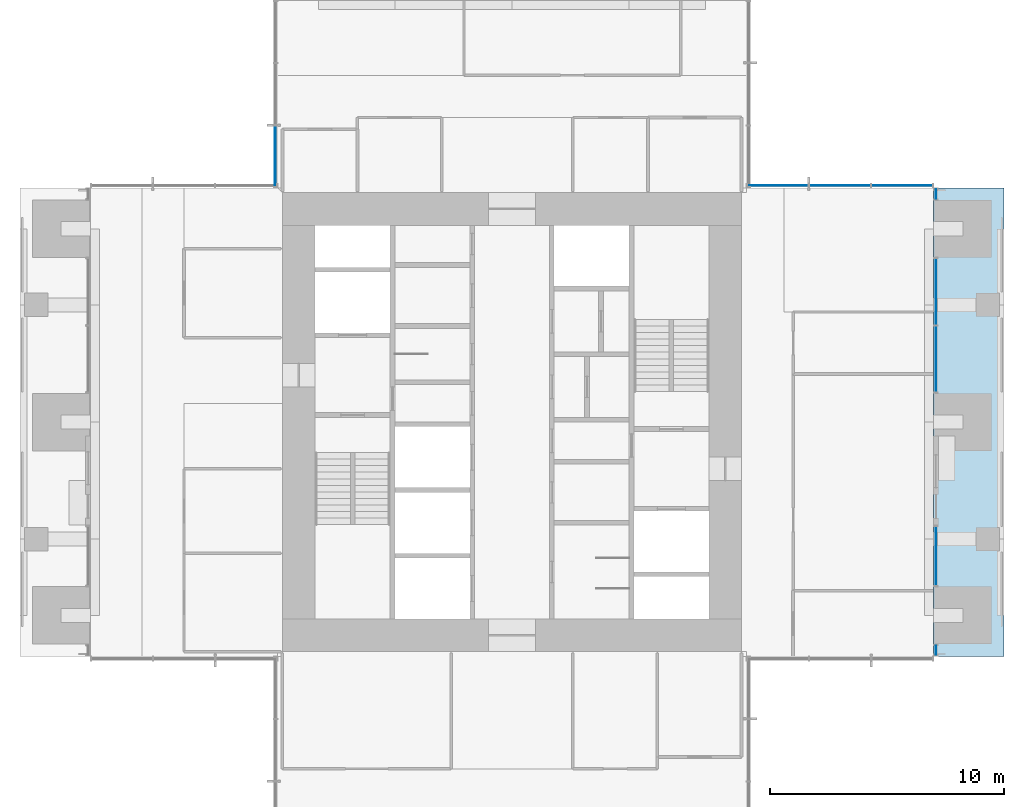
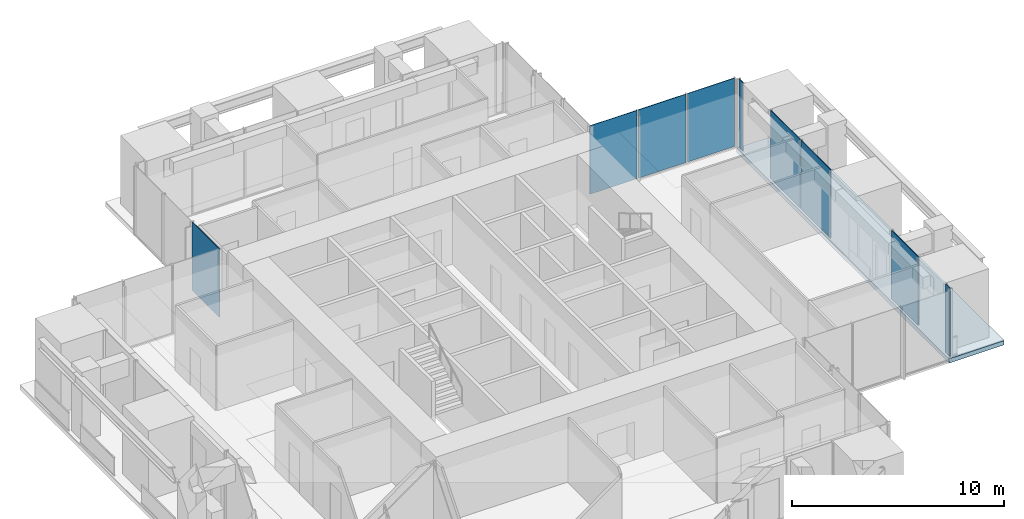
# One storey, part 10 of 17: 9 plates, 1 slab, 6 elements without a shape of their own.
"""IFC4 building model written with IfcOpenShell, lengths in metres."""

from ifc_helpers import new_model, si_unit, direction, frame, origin, origin_2d, place, context, subcontext, project, spatial, polyline, rectangle, outline, extrude, material, layer, layer_set, type_object, element, aggregate, save


model = new_model("IFC4")

# Units and contexts
model_context = context("Model", 3, precision=1e-05, world=origin(), true_north=direction((0.0, 1.0)))
body_context = subcontext(model_context, "Body", "Model", "MODEL_VIEW")
ifc_project = project(units=[si_unit("LENGTHUNIT", "METRE"), si_unit("AREAUNIT", "SQUARE_METRE"), si_unit("VOLUMEUNIT", "CUBIC_METRE"), si_unit("PLANEANGLEUNIT", "RADIAN"), si_unit("MASSUNIT", "GRAM", prefix="KILO")], contexts=[model_context])

# Site, building, storey
site_placement = place(None, origin())
site = spatial("IfcSite", under=ifc_project, at=site_placement, CompositionType="ELEMENT")
building_placement = place(site_placement, origin())
building = spatial("IfcBuilding", under=site, at=building_placement, Name="Svetlomir Tower", CompositionType="ELEMENT")
storey_placement = place(building_placement, frame((0.0, 0.0, 178.5)))
storey = spatial("IfcBuildingStorey", under=building, at=storey_placement, Name="L42", CompositionType="ELEMENT", Elevation=178.5)

# Curtain wall, plate
ifc_material_1 = material(Name="Bronze anodised aluminium curtain wall", Category="aluminium")
curtain_wall_type = type_object("IfcCurtainWallType", Name="CURTAIN WALL CW1 TOWER OFFICE", PredefinedType="NOTDEFINED", material=ifc_material_1)
curtain_wall_1_placement = place(storey_placement, origin())
curtain_wall_1 = element("IfcCurtainWall", 1, at=curtain_wall_1_placement, inside=storey, type_object=curtain_wall_type, Name="Curtain wall CW1 L42", PredefinedType="NOTDEFINED")
ifc_material_2 = material(Name="Tinted double glazed unit", Category="glass")
ifc_layer_1 = layer(ifc_material_2, 0.031982421875)
ifc_layer_set_1 = layer_set([ifc_layer_1], Name="Tinted double glazed unit")
plate_type = type_object("IfcPlateType", Name="CW1 GLAZED PANEL 32", PredefinedType="CURTAIN_PANEL", material=ifc_layer_set_1)
plate_1_placement = place(storey_placement, frame((39.10009765625, 11.262451171875, 0.06494140625), z_axis=(0.0, 0.0, 1.0), x_axis=(0.0, 1.0, 0.0)))
plate_1 = element("IfcPlate", 2, at=plate_1_placement, type_object=plate_type, Name="CW1 panel 1.1", PredefinedType="CURTAIN_PANEL", context=body_context, shape_type="SweptSolid", body=[
    extrude(rectangle(XDim=0.39501953125, YDim=0.031982421875, at=origin_2d()), origin(), (0.0, 0.0, 1.0), 3.93505859375),
])
aggregate(curtain_wall_1, [plate_1])

curtain_wall_2_placement = place(storey_placement, origin())
curtain_wall_2 = element("IfcCurtainWall", 3, at=curtain_wall_2_placement, inside=storey, type_object=curtain_wall_type, Name="Curtain wall CW1 L42", PredefinedType="NOTDEFINED")
plate_2_placement = place(storey_placement, frame((39.10009765625, 15.28759765625, 0.06494140625), z_axis=(0.0, 0.0, 1.0), x_axis=(0.0, 1.0, 0.0)))
plate_2 = element("IfcPlate", 4, at=plate_2_placement, type_object=plate_type, Name="CW1 panel 1.1", PredefinedType="CURTAIN_PANEL", context=body_context, shape_type="SweptSolid", body=[
    extrude(rectangle(XDim=2.4951171875, YDim=0.031982421875, at=origin_2d()), origin(), (0.0, 0.0, 1.0), 3.93505859375),
])
aggregate(curtain_wall_2, [plate_2])

# Curtain wall, plates
curtain_wall_3_placement = place(storey_placement, origin())
curtain_wall_3 = element("IfcCurtainWall", 5, at=curtain_wall_3_placement, inside=storey, type_object=curtain_wall_type, Name="Curtain wall CW1 L42", PredefinedType="NOTDEFINED")
plate_3_placement = place(storey_placement, frame((39.10009765625, 23.691162109375, 0.06494140625), z_axis=(0.0, 0.0, 1.0), x_axis=(0.0, 1.0, 0.0)))
plate_3 = element("IfcPlate", 6, at=plate_3_placement, type_object=plate_type, Name="CW1 panel 1.1", PredefinedType="CURTAIN_PANEL", context=body_context, shape_type="SweptSolid", body=[
    extrude(rectangle(XDim=2.802490234375, YDim=0.031982421875, at=origin_2d()), origin(), (0.0, 0.0, 1.0), 3.93505859375),
])
plate_4_placement = place(storey_placement, frame((39.10009765625, 26.558837890625, 0.06494140625), z_axis=(0.0, 0.0, 1.0), x_axis=(0.0, 1.0, 0.0)))
plate_4 = element("IfcPlate", 7, at=plate_4_placement, type_object=plate_type, Name="CW1 panel 2.1", PredefinedType="CURTAIN_PANEL", context=body_context, shape_type="SweptSolid", body=[
    extrude(rectangle(XDim=2.802490234375, YDim=0.031982421875, at=origin_2d()), origin(), (0.0, 0.0, 1.0), 3.93505859375),
])
aggregate(curtain_wall_3, [plate_3, plate_4])

# Curtain wall, plate
curtain_wall_4_placement = place(storey_placement, origin())
curtain_wall_4 = element("IfcCurtainWall", 8, at=curtain_wall_4_placement, inside=storey, type_object=curtain_wall_type, Name="Curtain wall CW1 L42", PredefinedType="NOTDEFINED")
plate_5_placement = place(storey_placement, frame((39.10009765625, 30.737548828125, 0.06494140625), z_axis=(0.0, 0.0, 1.0), x_axis=(0.0, 1.0, 0.0)))
plate_5 = element("IfcPlate", 9, at=plate_5_placement, type_object=plate_type, Name="CW1 panel 1.1", PredefinedType="CURTAIN_PANEL", context=body_context, shape_type="SweptSolid", body=[
    extrude(rectangle(XDim=0.39501953125, YDim=0.031982421875, at=origin_2d()), origin(), (0.0, 0.0, 1.0), 3.93505859375),
])
aggregate(curtain_wall_4, [plate_5])

# Curtain wall, plates
curtain_wall_5_placement = place(storey_placement, origin())
curtain_wall_5 = element("IfcCurtainWall", 10, at=curtain_wall_5_placement, inside=storey, type_object=curtain_wall_type, Name="Curtain wall CW1 L42", PredefinedType="NOTDEFINED")
plate_6_placement = place(storey_placement, frame((37.650390625, 31.10009765625, 0.06494140625), z_axis=(0.0, 0.0, 1.0), x_axis=(-1.0, 0.0, 0.0)))
plate_6 = element("IfcPlate", 11, at=plate_6_placement, type_object=plate_type, Name="CW1 panel 1.1", PredefinedType="CURTAIN_PANEL", context=body_context, shape_type="SweptSolid", body=[
    extrude(rectangle(XDim=2.569091796875, YDim=0.031982421875, at=origin_2d()), origin(), (0.0, 0.0, 1.0), 3.93505859375),
])
plate_7_placement = place(storey_placement, frame((35.0, 31.10009765625, 0.06494140625), z_axis=(0.0, 0.0, 1.0), x_axis=(-1.0, 0.0, 0.0)))
plate_7 = element("IfcPlate", 12, at=plate_7_placement, type_object=plate_type, Name="CW1 panel 2.1", PredefinedType="CURTAIN_PANEL", context=body_context, shape_type="SweptSolid", body=[
    extrude(rectangle(XDim=2.6015625, YDim=0.031982421875, at=origin_2d()), origin(), (0.0, 0.0, 1.0), 3.93505859375),
])
plate_8_placement = place(storey_placement, frame((32.349609375, 31.10009765625, 0.06494140625), z_axis=(0.0, 0.0, 1.0), x_axis=(-1.0, 0.0, 0.0)))
plate_8 = element("IfcPlate", 13, at=plate_8_placement, type_object=plate_type, Name="CW1 panel 3.1", PredefinedType="CURTAIN_PANEL", context=body_context, shape_type="SweptSolid", body=[
    extrude(rectangle(XDim=2.569091796875, YDim=0.031982421875, at=origin_2d()), origin(), (0.0, 0.0, 1.0), 3.93505859375),
])
aggregate(curtain_wall_5, [plate_6, plate_7, plate_8])

# Curtain wall, plate
curtain_wall_6_placement = place(storey_placement, origin())
curtain_wall_6 = element("IfcCurtainWall", 14, at=curtain_wall_6_placement, inside=storey, type_object=curtain_wall_type, Name="Curtain wall CW1 L42", PredefinedType="NOTDEFINED")
plate_9_placement = place(storey_placement, frame((10.89990234375, 32.349609375, 0.06494140625), z_axis=(0.0, 0.0, 1.0), x_axis=(0.0, -1.0, 0.0)))
plate_9 = element("IfcPlate", 15, at=plate_9_placement, type_object=plate_type, Name="CW1 panel 3.1", PredefinedType="CURTAIN_PANEL", context=body_context, shape_type="SweptSolid", body=[
    extrude(rectangle(XDim=2.569091796875, YDim=0.031982421875, at=origin_2d()), origin(), (0.0, 0.0, 1.0), 3.93505859375),
])
aggregate(curtain_wall_6, [plate_9])

# Slab
ifc_material_3 = material(Name="Concrete C60/75", Category="concrete")
ifc_layer_2 = layer(ifc_material_3, 0.25)
ifc_layer_set_2 = layer_set([ifc_layer_2], Name="Concrete C60/75")
slab_type = type_object("IfcSlabType", Name="PLANTED LOGGIA SLAB 250", PredefinedType="FLOOR", material=ifc_layer_set_2)
slab_placement = place(storey_placement, frame((0.0, 0.0, -0.25)))
element("IfcSlab", 16, at=slab_placement, inside=storey, type_object=slab_type, Name="L42 E planted loggia", PredefinedType="FLOOR", context=body_context, shape_type="SweptSolid", body=[
    extrude(outline(polyline([(39.0, 11.0), (42.0, 11.0), (42.0, 31.0), (39.0, 31.0), (39.0, 11.0)])), origin(), (0.0, 0.0, 1.0), 0.25),
])

save(model, "model.ifc")
